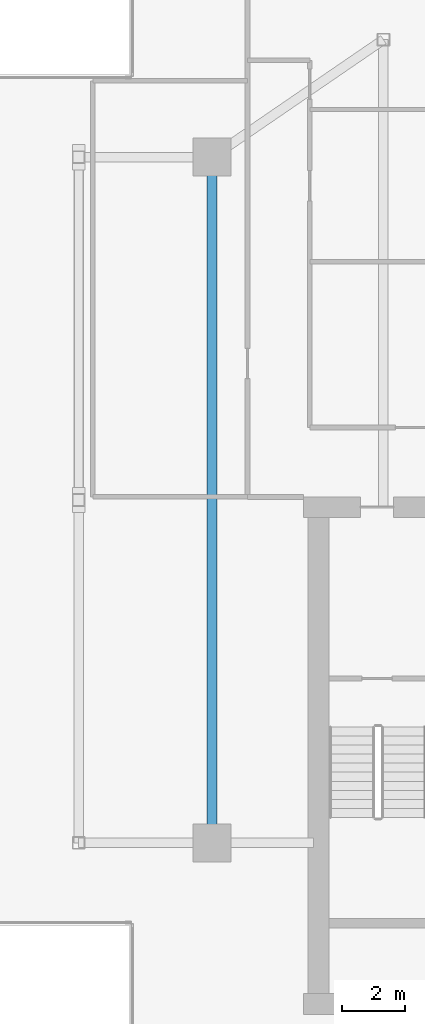
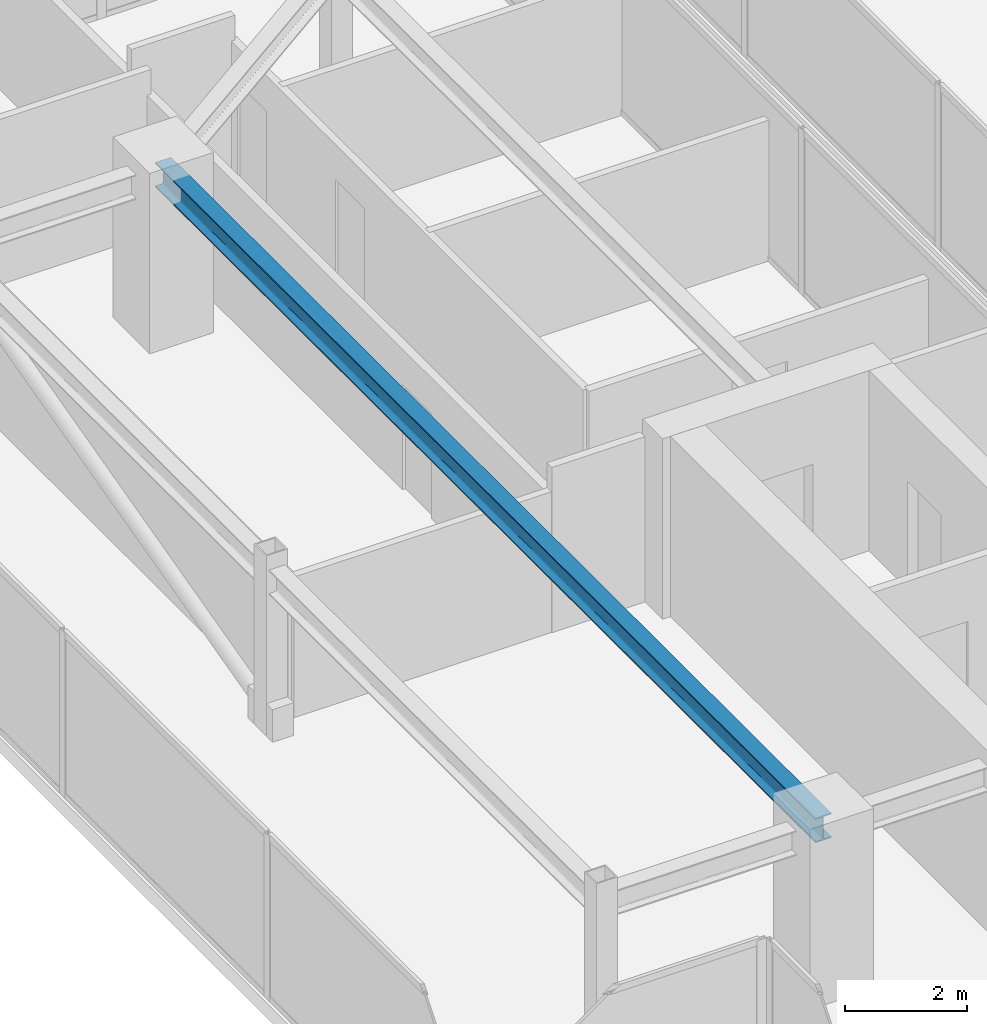
# One storey, part 9 of 25: 1 beam.
"""IFC4 building model written with IfcOpenShell, lengths in metres."""

from ifc_helpers import new_model, si_unit, direction, frame, origin, origin_2d, place, context, subcontext, project, spatial, i_section, extrude, source, transform, mapped, material, material_profile, profile_set, type_object, type_shapes, element, save


model = new_model("IFC4")

# Units and contexts
model_context = context("Model", 3, precision=1e-05, world=origin(), true_north=direction((0.0, 1.0)))
body_context = subcontext(model_context, "Body", "Model", "MODEL_VIEW")
ifc_project = project(units=[si_unit("LENGTHUNIT", "METRE"), si_unit("AREAUNIT", "SQUARE_METRE"), si_unit("VOLUMEUNIT", "CUBIC_METRE"), si_unit("PLANEANGLEUNIT", "RADIAN"), si_unit("MASSUNIT", "GRAM", prefix="KILO")], contexts=[model_context])

# Site, building, storey
site_placement = place(None, origin())
site = spatial("IfcSite", under=ifc_project, at=site_placement, CompositionType="ELEMENT")
building_placement = place(site_placement, origin())
building = spatial("IfcBuilding", under=site, at=building_placement, Name="Krantzveldt Concourse Tower", CompositionType="ELEMENT")
storey_placement = place(building_placement, frame((0.0, 0.0, 374.64990234375)))
storey = spatial("IfcBuildingStorey", under=building, at=storey_placement, Name="L92", CompositionType="ELEMENT", Elevation=374.64990234375)

# Beam
ifc_material = material(Name="Steel S355JR", Category="steel")
ifc_material_profile = material_profile(ifc_material, i_section(OverallWidth=0.300048828125, OverallDepth=0.489990234375, WebThickness=0.011962890625, FlangeThickness=0.02294921875, FilletRadius=0.027099609375, at=origin_2d()), Name="Steel S355JR", Category="steel")
ifc_profile_set = profile_set([ifc_material_profile], Name="Steel S355JR - HEA 500")
beam_type = type_object("IfcBeamType", Name="BM-B-HEA500", PredefinedType="BEAM", material=ifc_profile_set)
shared_shape = source(origin(), body_context, "Body", "SweptSolid", [
    extrude(i_section(OverallWidth=0.300048828125, OverallDepth=0.489990234375, WebThickness=0.011962890625, FlangeThickness=0.02294921875, FilletRadius=0.027099609375, at=origin_2d()), origin(), (0.0, 0.0, 1.0), 21.60009765625),
])
type_shapes(beam_type, [shared_shape])
beam_placement = place(storey_placement, frame((25.199951171875, 15.89990234375, 3.05517578125), z_axis=(0.0, 1.0, 0.0), x_axis=(-1.0, 0.0, 0.0)))
element("IfcBeam", 1, at=beam_placement, inside=storey, type_object=beam_type, Name="L92 Crown Girder WEST-8", PredefinedType="BEAM", context=body_context, shape_type="MappedRepresentation", body=[
    mapped(shared_shape, transform((0.0, 0.0, 0.0), x_axis=(1.0, 0.0, 0.0), y_axis=(0.0, 1.0, 0.0), z_axis=(0.0, 0.0, 1.0), scale=1.0)),
])

save(model, "model.ifc")
